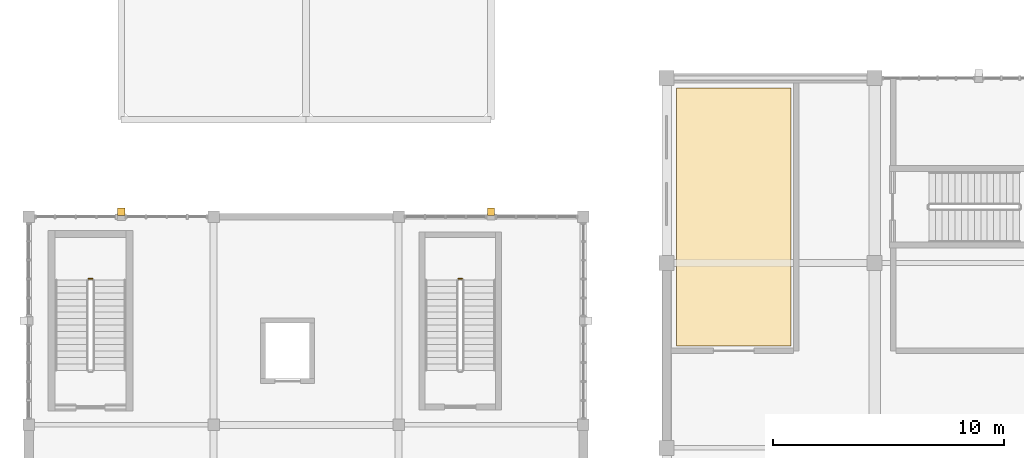
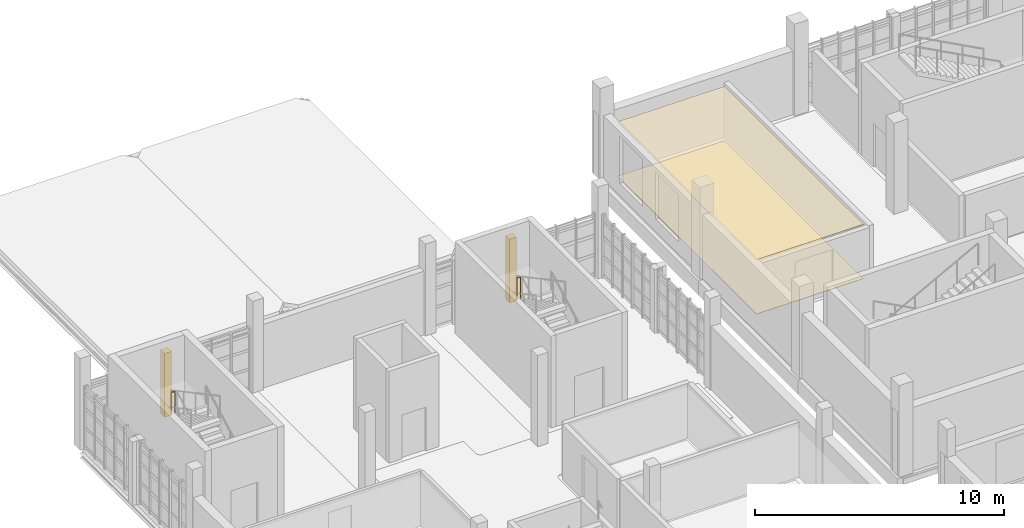
# One storey, part 115 of 125: 4 coverings, 2 railings.
"""IFC4 building model written with IfcOpenShell, lengths in metres."""

from ifc_helpers import new_model, si_unit, direction, frame, origin, origin_2d, place, context, subcontext, project, spatial, polyline, circle, outline, extrude, material, layer, layer_set, type_object, element, save


model = new_model("IFC4")

# Units and contexts
model_context = context("Model", 3, precision=1e-05, world=origin(), true_north=direction((0.0, 1.0)))
body_context = subcontext(model_context, "Body", "Model", "MODEL_VIEW")
ifc_project = project(units=[si_unit("LENGTHUNIT", "METRE"), si_unit("AREAUNIT", "SQUARE_METRE"), si_unit("VOLUMEUNIT", "CUBIC_METRE"), si_unit("PLANEANGLEUNIT", "RADIAN"), si_unit("MASSUNIT", "GRAM", prefix="KILO")], contexts=[model_context])

# Site, building, storey
site_placement = place(None, origin())
site = spatial("IfcSite", under=ifc_project, at=site_placement, CompositionType="ELEMENT")
building_placement = place(site_placement, origin())
building = spatial("IfcBuilding", under=site, at=building_placement, Name="Serraforn Aerial Cableway Station", CompositionType="ELEMENT")
storey_placement = place(building_placement, frame((0.0, 0.0, 4.5)))
storey = spatial("IfcBuildingStorey", under=building, at=storey_placement, Name="L01", CompositionType="ELEMENT", Elevation=4.5)

# Coverings
ifc_material_1 = material(Name="Fluted patinated bronze Art Deco pilaster cladding")
ifc_layer_1 = layer(ifc_material_1, 0.034912109375)
ifc_layer_set_1 = layer_set([ifc_layer_1], Name="Fluted patinated bronze Art Deco pilaster cladding")
covering_type_1 = type_object("IfcCoveringType", Name="COV-CLAD-BRZ", PredefinedType="CLADDING", material=ifc_layer_set_1)
covering_1_placement = place(storey_placement, origin())
element("IfcCovering", 1, at=covering_1_placement, inside=storey, type_object=covering_type_1, Name="Art Deco Bronze Pilaster Cladding W-L01-N1", PredefinedType="CLADDING", context=body_context, shape_type="SweptSolid", body=[
    extrude(outline(polyline([(3.840087890625, 36.06005859375), (4.159912109375, 36.06005859375), (4.159912109375, 36.3798828125), (3.840087890625, 36.3798828125), (3.840087890625, 36.06005859375)])), origin(), (0.0, 0.0, 1.0), 3.1201171875),
])
covering_2_placement = place(storey_placement, origin())
element("IfcCovering", 2, at=covering_2_placement, inside=storey, type_object=covering_type_1, Name="Art Deco Bronze Pilaster Cladding W-L01-N3", PredefinedType="CLADDING", context=body_context, shape_type="SweptSolid", body=[
    extrude(outline(polyline([(19.840087890625, 36.06005859375), (20.159912109375, 36.06005859375), (20.159912109375, 36.3798828125), (19.840087890625, 36.3798828125), (19.840087890625, 36.06005859375)])), origin(), (0.0, 0.0, 1.0), 3.1201171875),
])
ifc_material_2 = material(Name="Fire-protective gypsum board ceiling")
ifc_layer_2 = layer(ifc_material_2, 0.02001953125)
ifc_layer_set_2 = layer_set([ifc_layer_2], Name="Fire-protective gypsum board ceiling")
covering_type_2 = type_object("IfcCoveringType", Name="COV-CLG-GYP", PredefinedType="CEILING", material=ifc_layer_set_2)
covering_3_placement = place(storey_placement, frame((0.0, 0.0, 2.659912109375)))
element("IfcCovering", 3, at=covering_3_placement, inside=storey, type_object=covering_type_2, Name="Suspended Ceiling L01-24", PredefinedType="CEILING", context=body_context, shape_type="SweptSolid", body=[
    extrude(outline(polyline([(28.02001953125, 30.419921875), (28.02001953125, 41.580078125), (32.97998046875, 41.580078125), (32.97998046875, 30.419921875), (28.02001953125, 30.419921875)])), origin(), (0.0, 0.0, 1.0), 0.02001953125),
])
ifc_material_3 = material(Name="Heavy-duty non-slip quartz epoxy floor")
ifc_layer_3 = layer(ifc_material_3, 0.014892578125)
ifc_layer_set_3 = layer_set([ifc_layer_3], Name="Heavy-duty non-slip quartz epoxy floor")
covering_type_3 = type_object("IfcCoveringType", Name="COV-FLR-EPOX", PredefinedType="FLOORING", material=ifc_layer_set_3)
covering_4_placement = place(storey_placement, origin())
element("IfcCovering", 4, at=covering_4_placement, inside=storey, type_object=covering_type_3, Name="Flooring L01-24", PredefinedType="FLOORING", context=body_context, shape_type="SweptSolid", body=[
    extrude(outline(polyline([(28.02001953125, 30.419921875), (28.02001953125, 41.580078125), (32.97998046875, 41.580078125), (32.97998046875, 30.419921875), (28.02001953125, 30.419921875)])), origin(), (0.0, 0.0, 1.0), 0.014892578125),
])

# Railings
ifc_material_4 = material(Name="Patinated bronze stair guardrail")
ifc_layer_4 = layer(ifc_material_4, 0.050048828125)
ifc_layer_set_4 = layer_set([ifc_layer_4], Name="Patinated bronze stair guardrail")
railing_type = type_object("IfcRailingType", Name="RL-STR-GRD", PredefinedType="GUARDRAIL", material=ifc_layer_set_4)
for number, where, name in (
    (5, (2.75, 33.320068359375, 2.25), "L01 ST-01 stair guard 2"),
    (6, (18.75, 33.320068359375, 2.25), "L01 ST-02 stair guard 2"),
):
    element("IfcRailing", number, at=place(storey_placement, frame(where)), inside=storey, type_object=railing_type, Name=name, PredefinedType="GUARDRAIL", context=body_context, shape_type="SweptSolid", body=[
        extrude(circle(Radius=0.02392578125, at=origin_2d()), frame((0.0, 0.0, 1.076171875), z_axis=(-1.0, 0.0, 0.0), x_axis=(0.0, -1.0, 0.0)), (0.0, 0.0, 1.0), 0.159912109375),
        extrude(circle(Radius=0.02099609375, at=origin_2d()), origin(), (0.0, 0.0, 1.0), 1.052001953125),
        extrude(circle(Radius=0.02099609375, at=origin_2d()), frame((-0.159912109375, 0.0, 0.0)), (0.0, 0.0, 1.0), 1.052001953125),
    ])

save(model, "model.ifc")
